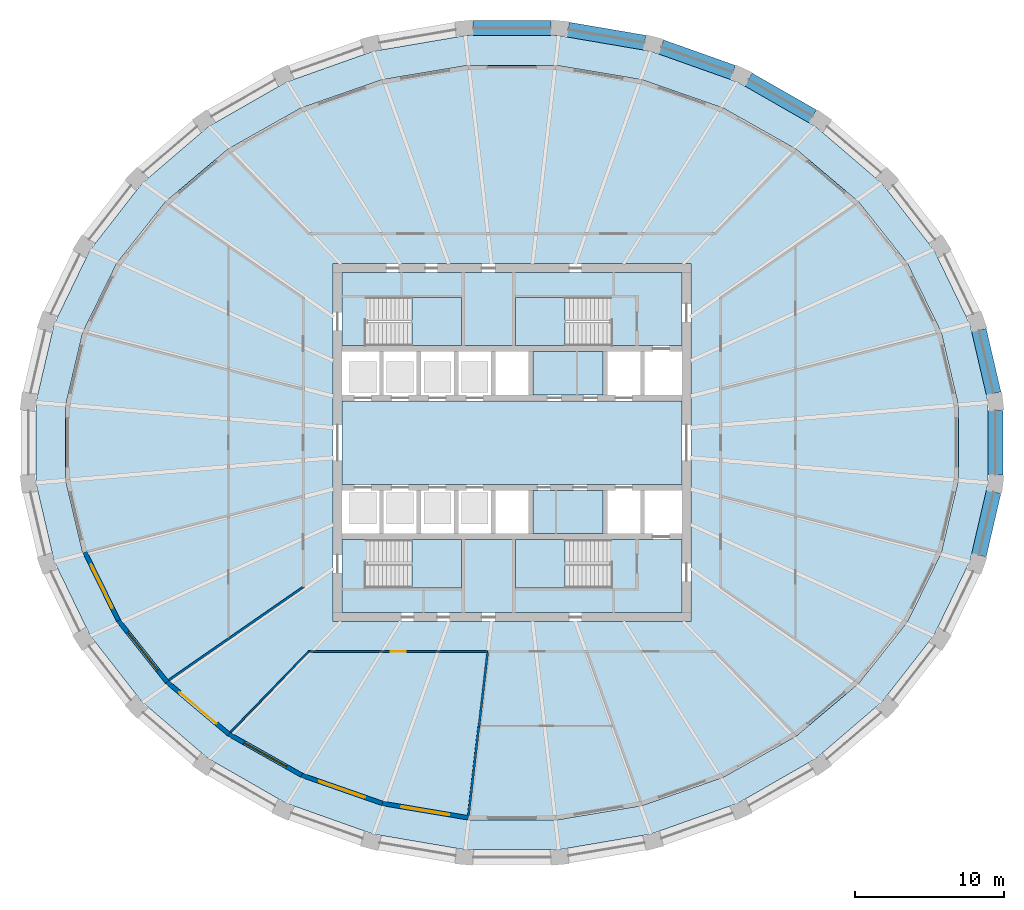
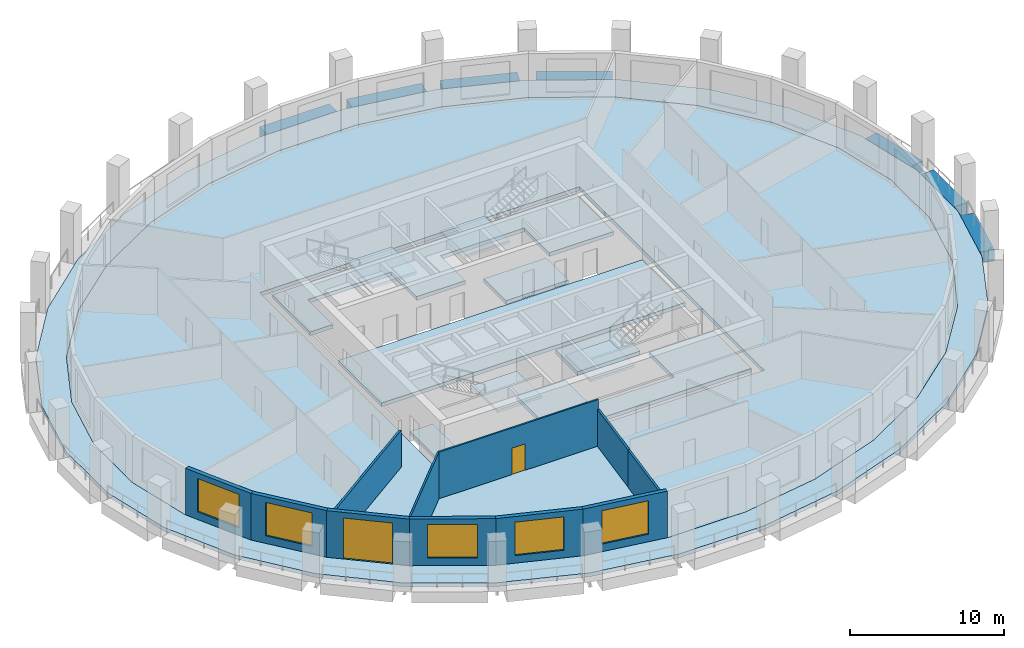
# One storey, part 2 of 10: 11 slabs, 11 walls, 7 beams, 5 windows, 2 doors, 7 openings, 4 elements without a shape of their own.
"""IFC4 building model written with IfcOpenShell, lengths in metres."""

from ifc_helpers import new_model, si_unit, direction, frame, frame_2d, origin, origin_2d, place, context, subcontext, project, spatial, polyline, rectangle, outline, extrude, material, layer, layer_set, material_profile, profile_set, type_object, element, fill, aggregate, save


model = new_model("IFC4")

# Units and contexts
model_context = context("Model", 3, precision=1e-05, world=origin(), true_north=direction((0.0, 1.0)))
body_context = subcontext(model_context, "Body", "Model", "MODEL_VIEW")
ifc_project = project(units=[si_unit("LENGTHUNIT", "METRE"), si_unit("AREAUNIT", "SQUARE_METRE"), si_unit("VOLUMEUNIT", "CUBIC_METRE"), si_unit("PLANEANGLEUNIT", "RADIAN"), si_unit("MASSUNIT", "GRAM", prefix="KILO")], contexts=[model_context])

# Site, building, storey
site_placement = place(None, origin())
site = spatial("IfcSite", under=ifc_project, at=site_placement, CompositionType="ELEMENT")
building_placement = place(site_placement, origin())
building = spatial("IfcBuilding", under=site, at=building_placement, Name="Halqa Exchange Tower", CompositionType="ELEMENT")
storey_placement = place(building_placement, frame((0.0, 0.0, 194.89990234375)))
storey = spatial("IfcBuildingStorey", under=building, at=storey_placement, Name="L44", CompositionType="ELEMENT", Elevation=194.89990234375)

# Beams
ifc_material_1 = material(Name="Concrete C60/75", Category="concrete")
ifc_material_profile = material_profile(ifc_material_1, rectangle(XDim=1.0, YDim=0.89990234375, at=origin_2d()), Name="1000 x 900")
ifc_profile_set = profile_set([ifc_material_profile], Name="Concrete C60/75")
beam_type = type_object("IfcBeamType", Name="RC spandrel beam 1000 x 900 C60/75", PredefinedType="SPANDREL", material=ifc_profile_set)
beam_1_placement = place(storey_placement, frame((32.291748046875, 3.298583984375, -0.449951171875), z_axis=(-0.226069928804, 0.974111075438, 0.0), x_axis=(-0.974111075438, -0.226069928804, 0.0)))
element("IfcBeam", 1, at=beam_1_placement, inside=storey, type_object=beam_type, Name="Spandrel 1", PredefinedType="SPANDREL", context=body_context, shape_type="SweptSolid", body=[
    extrude(rectangle(XDim=1.0, YDim=0.89990234375, at=origin_2d()), origin(), (0.0, 0.0, 1.0), 4.359619140625),
])
beam_2_placement = place(storey_placement, frame((20.16845703125, 21.872314453125, -0.449951171875), z_axis=(-0.867771135112, 0.496964040013, 0.0), x_axis=(-0.496964040013, -0.867771135112, 0.0)))
element("IfcBeam", 2, at=beam_2_placement, inside=storey, type_object=beam_type, Name="Spandrel 5", PredefinedType="SPANDREL", context=body_context, shape_type="SweptSolid", body=[
    extrude(rectangle(XDim=1.0, YDim=0.89990234375, at=origin_2d()), origin(), (0.0, 0.0, 1.0), 4.9697265625),
])
beam_3_placement = place(storey_placement, frame((14.817138671875, 24.8193359375, -0.449951171875), z_axis=(-0.942368993824, 0.334575371895, 0.0), x_axis=(-0.334575371895, -0.942368993824, 0.0)))
element("IfcBeam", 3, at=beam_3_placement, inside=storey, type_object=beam_type, Name="Spandrel 6", PredefinedType="SPANDREL", context=body_context, shape_type="SweptSolid", body=[
    extrude(rectangle(XDim=1.0, YDim=0.89990234375, at=origin_2d()), origin(), (0.0, 0.0, 1.0), 5.113037109375),
])
beam_4_placement = place(storey_placement, frame((8.891357421875, 26.81884765625, -0.449951171875), z_axis=(-0.98577756744, 0.168055310931, 0.0), x_axis=(-0.168055310931, -0.98577756744, 0.0)))
element("IfcBeam", 4, at=beam_4_placement, inside=storey, type_object=beam_type, Name="Spandrel 7", PredefinedType="SPANDREL", context=body_context, shape_type="SweptSolid", body=[
    extrude(rectangle(XDim=1.0, YDim=0.89990234375, at=origin_2d()), origin(), (0.0, 0.0, 1.0), 5.20654296875),
])
beam_5_placement = place(storey_placement, frame((2.619873046875, 27.790283203125, -0.449951171875), z_axis=(-1.0, 0.0, 0.0), x_axis=(0.0, -1.0, 0.0)))
element("IfcBeam", 5, at=beam_5_placement, inside=storey, type_object=beam_type, Name="Spandrel 8", PredefinedType="SPANDREL", context=body_context, shape_type="SweptSolid", body=[
    extrude(rectangle(XDim=1.0, YDim=0.89990234375, at=origin_2d()), origin(), (0.0, 0.0, 1.0), 5.23974609375),
])
beam_6_placement = place(storey_placement, frame((31.30615234375, -7.54541015625, -0.449951171875), z_axis=(0.226069928804, 0.974111075438, 0.0), x_axis=(-0.974111075438, 0.226069928804, 0.0)))
element("IfcBeam", 6, at=beam_6_placement, inside=storey, type_object=beam_type, Name="Spandrel 31", PredefinedType="SPANDREL", context=body_context, shape_type="SweptSolid", body=[
    extrude(rectangle(XDim=1.0, YDim=0.89990234375, at=origin_2d()), origin(), (0.0, 0.0, 1.0), 4.359619140625),
])
beam_7_placement = place(storey_placement, frame((32.422119140625, -2.160400390625, -0.449951171875), z_axis=(0.0, 1.0, 0.0), x_axis=(-1.0, 0.0, 0.0)))
element("IfcBeam", 7, at=beam_7_placement, inside=storey, type_object=beam_type, Name="Spandrel 32", PredefinedType="SPANDREL", context=body_context, shape_type="SweptSolid", body=[
    extrude(rectangle(XDim=1.0, YDim=0.89990234375, at=origin_2d()), origin(), (0.0, 0.0, 1.0), 4.32080078125),
])

# Slabs
ifc_layer_1 = layer(ifc_material_1, 0.300048828125)
ifc_layer_set_1 = layer_set([ifc_layer_1], Name="Concrete C60/75")
slab_type_1 = type_object("IfcSlabType", Name="Core floor slab 300", PredefinedType="FLOOR", material=ifc_layer_set_1)
slab_1_placement = place(storey_placement, frame((0.0, 0.0, -0.2998046875)))
element("IfcSlab", 8, at=slab_1_placement, inside=storey, type_object=slab_type_1, Name="Core floor slab", PredefinedType="FLOOR", context=body_context, shape_type="SweptSolid", body=[
    extrude(outline(polyline([(-11.39990234375, 2.800048828125), (11.39990234375, 2.800048828125), (11.39990234375, -2.800048828125), (-11.39990234375, -2.800048828125), (-11.39990234375, 2.800048828125)])), origin(), (0.0, 0.0, 1.0), 0.2998046875),
])
slab_2_placement = place(storey_placement, frame((0.0, 0.0, -0.2998046875)))
element("IfcSlab", 9, at=slab_2_placement, inside=storey, type_object=slab_type_1, Name="Core floor slab", PredefinedType="FLOOR", context=body_context, shape_type="SweptSolid", body=[
    extrude(outline(polyline([(-11.39990234375, 11.39990234375), (11.39990234375, 11.39990234375), (11.39990234375, 6.5), (6.550048828125, 6.5), (6.550048828125, 9.75), (0.25, 9.75), (0.25, 6.5), (-3.39990234375, 6.5), (-3.39990234375, 9.75), (-9.699951171875, 9.75), (-9.699951171875, 6.5), (-11.39990234375, 6.5), (-11.39990234375, 11.39990234375)])), origin(), (0.0, 0.0, 1.0), 0.2998046875),
])
slab_3_placement = place(storey_placement, frame((0.0, 0.0, -0.2998046875)))
element("IfcSlab", 10, at=slab_3_placement, inside=storey, type_object=slab_type_1, Name="Core floor slab", PredefinedType="FLOOR", context=body_context, shape_type="SweptSolid", body=[
    extrude(outline(polyline([(-9.699951171875, -9.75), (-3.39990234375, -9.75), (-3.39990234375, -6.5), (0.25, -6.5), (0.25, -9.75), (6.550048828125, -9.75), (6.550048828125, -6.5), (11.39990234375, -6.5), (11.39990234375, -11.39990234375), (-11.39990234375, -11.39990234375), (-11.39990234375, -6.5), (-9.699951171875, -6.5), (-9.699951171875, -9.75)])), origin(), (0.0, 0.0, 1.0), 0.2998046875),
])
slab_4_placement = place(storey_placement, frame((0.0, 0.0, -0.2998046875)))
element("IfcSlab", 11, at=slab_4_placement, inside=storey, type_object=slab_type_1, Name="Core floor slab", PredefinedType="FLOOR", context=body_context, shape_type="SweptSolid", body=[
    extrude(outline(polyline([(6.10009765625, -3.199951171875), (6.10009765625, -6.10009765625), (1.39990234375, -6.10009765625), (1.39990234375, -3.199951171875), (6.10009765625, -3.199951171875)])), origin(), (0.0, 0.0, 1.0), 0.2998046875),
])
slab_5_placement = place(storey_placement, frame((0.0, 0.0, -0.2998046875)))
element("IfcSlab", 12, at=slab_5_placement, inside=storey, type_object=slab_type_1, Name="Core floor slab", PredefinedType="FLOOR", context=body_context, shape_type="SweptSolid", body=[
    extrude(outline(polyline([(6.10009765625, 6.10009765625), (6.10009765625, 3.199951171875), (1.39990234375, 3.199951171875), (1.39990234375, 6.10009765625), (6.10009765625, 6.10009765625)])), origin(), (0.0, 0.0, 1.0), 0.2998046875),
])
ifc_material_2 = material(Name="Concrete C40/50", Category="concrete")
ifc_layer_2 = layer(ifc_material_2, 0.300048828125)
ifc_layer_set_2 = layer_set([ifc_layer_2], Name="Concrete C40/50")
slab_type_2 = type_object("IfcSlabType", Name="RC floor slab 300", PredefinedType="FLOOR", material=ifc_layer_set_2)
slab_6_placement = place(storey_placement, frame((0.0, 0.0, -0.2998046875)))
element("IfcSlab", 13, at=slab_6_placement, inside=storey, type_object=slab_type_2, Name="Floor slab", PredefinedType="FLOOR", context=body_context, shape_type="SweptSolid", body=[
    extrude(outline(polyline([(29.935546875, 2.49755859375), (28.78076171875, 7.39501953125), (26.517578125, 12.0048828125), (23.23583984375, 16.14892578125), (19.0634765625, 19.669189453125), (14.161865234375, 22.4326171875), (8.71923828125, 24.33447265625), (2.94384765625, 25.3037109375), (-2.94384765625, 25.3037109375), (-8.71923828125, 24.33447265625), (-14.161865234375, 22.4326171875), (-19.0634765625, 19.669189453125), (-23.23583984375, 16.14892578125), (-26.517578125, 12.0048828125), (-28.78076171875, 7.39501953125), (-29.935546875, 2.49755859375), (-29.935546875, -2.49755859375), (-28.78076171875, -7.39501953125), (-26.517578125, -12.0048828125), (-23.23583984375, -16.14892578125), (-19.0634765625, -19.669189453125), (-14.161865234375, -22.4326171875), (-8.71923828125, -24.33447265625), (-2.94384765625, -25.3037109375), (2.94384765625, -25.3037109375), (8.71923828125, -24.33447265625), (14.161865234375, -22.4326171875), (19.0634765625, -19.669189453125), (23.23583984375, -16.14892578125), (26.517578125, -12.0048828125), (28.78076171875, -7.39501953125), (29.935546875, -2.49755859375), (29.935546875, 2.49755859375)]), holes=[polyline([(-12.0, -12.0), (12.0, -12.0), (12.0, 12.0), (-12.0, 12.0), (-12.0, -12.0)])]), origin(), (0.0, 0.0, 1.0), 0.2998046875),
])
ifc_layer_3 = layer(ifc_material_2, 0.300048828125)
ifc_layer_set_3 = layer_set([ifc_layer_3], Name="Concrete C40/50")
slab_type_3 = type_object("IfcSlabType", Name="RC loggia slab 300", PredefinedType="FLOOR", material=ifc_layer_set_3)
slab_7_placement = place(storey_placement, frame((0.0, 0.0, -0.2998046875)))
element("IfcSlab", 14, at=slab_7_placement, inside=storey, type_object=slab_type_3, Name="Loggia slab", PredefinedType="FLOOR", context=body_context, shape_type="SweptSolid", body=[
    extrude(outline(polyline([(31.922119140625, 2.6796875), (31.922119140625, -2.6796875), (30.70166015625, -7.938720703125), (28.304931640625, -12.898193359375), (24.8203125, -17.368408203125), (20.37841796875, -21.17578125), (15.14794921875, -24.17138671875), (9.33056640625, -26.23681640625), (3.15087890625, -27.290283203125), (-3.15087890625, -27.290283203125), (-9.33056640625, -26.23681640625), (-15.14794921875, -24.17138671875), (-20.37841796875, -21.17578125), (-24.8203125, -17.368408203125), (-28.304931640625, -12.898193359375), (-30.70166015625, -7.938720703125), (-31.922119140625, -2.6796875), (-31.922119140625, 2.6796875), (-30.70166015625, 7.938720703125), (-28.304931640625, 12.898193359375), (-24.8203125, 17.368408203125), (-20.37841796875, 21.17578125), (-15.14794921875, 24.17138671875), (-9.33056640625, 26.23681640625), (-3.15087890625, 27.290283203125), (3.15087890625, 27.290283203125), (9.33056640625, 26.23681640625), (15.14794921875, 24.17138671875), (20.37841796875, 21.17578125), (24.8203125, 17.368408203125), (28.304931640625, 12.898193359375), (30.70166015625, 7.938720703125), (31.922119140625, 2.6796875)]), holes=[polyline([(29.935546875, 2.49755859375), (28.78076171875, 7.39501953125), (26.517578125, 12.0048828125), (23.23583984375, 16.14892578125), (19.0634765625, 19.669189453125), (14.161865234375, 22.4326171875), (8.71923828125, 24.33447265625), (2.94384765625, 25.3037109375), (-2.94384765625, 25.3037109375), (-8.71923828125, 24.33447265625), (-14.161865234375, 22.4326171875), (-19.0634765625, 19.669189453125), (-23.23583984375, 16.14892578125), (-26.517578125, 12.0048828125), (-28.78076171875, 7.39501953125), (-29.935546875, 2.49755859375), (-29.935546875, -2.49755859375), (-28.78076171875, -7.39501953125), (-26.517578125, -12.0048828125), (-23.23583984375, -16.14892578125), (-19.0634765625, -19.669189453125), (-14.161865234375, -22.4326171875), (-8.71923828125, -24.33447265625), (-2.94384765625, -25.3037109375), (2.94384765625, -25.3037109375), (8.71923828125, -24.33447265625), (14.161865234375, -22.4326171875), (19.0634765625, -19.669189453125), (23.23583984375, -16.14892578125), (26.517578125, -12.0048828125), (28.78076171875, -7.39501953125), (29.935546875, -2.49755859375), (29.935546875, 2.49755859375)])]), origin(), (0.0, 0.0, 1.0), 0.2998046875),
])

# Stair, slab
ifc_material_3 = material(Name="Concrete C30/37", Category="concrete")
stair_type = type_object("IfcStairType", Name="Exit stair 1500 wide", PredefinedType="HALF_TURN_STAIR", material=ifc_material_3)
stair_1_placement = place(storey_placement, origin())
stair_1 = element("IfcStair", 15, at=stair_1_placement, inside=storey, type_object=stair_type, Name="Exit stair ST1", PredefinedType="HALF_TURN_STAIR")
ifc_layer_4 = layer(ifc_material_3, 0.199951171875)
ifc_layer_set_4 = layer_set([ifc_layer_4], Name="Concrete C30/37")
slab_type_4 = type_object("IfcSlabType", Name="Stair landing 200 slab", PredefinedType="LANDING", material=ifc_layer_set_4)
slab_8_placement = place(storey_placement, frame((0.0, 0.0, 1.800048828125)))
slab_8 = element("IfcSlab", 16, at=slab_8_placement, type_object=slab_type_4, Name="ST1 landing 1", PredefinedType="LANDING", context=body_context, shape_type="SweptSolid", body=[
    extrude(outline(polyline([(-6.719970703125, 6.5), (-3.39990234375, 6.5), (-3.39990234375, 9.75), (-6.719970703125, 9.75), (-6.719970703125, 6.5)])), origin(), (0.0, 0.0, 1.0), 0.199951171875),
])
aggregate(stair_1, [slab_8])

stair_2_placement = place(storey_placement, origin())
stair_2 = element("IfcStair", 17, at=stair_2_placement, inside=storey, type_object=stair_type, Name="Exit stair ST2", PredefinedType="HALF_TURN_STAIR")
slab_9_placement = place(storey_placement, frame((0.0, 0.0, 1.800048828125)))
slab_9 = element("IfcSlab", 18, at=slab_9_placement, type_object=slab_type_4, Name="ST2 landing 1", PredefinedType="LANDING", context=body_context, shape_type="SweptSolid", body=[
    extrude(outline(polyline([(0.25, 6.5), (3.570068359375, 6.5), (3.570068359375, 9.75), (0.25, 9.75), (0.25, 6.5)])), origin(), (0.0, 0.0, 1.0), 0.199951171875),
])
aggregate(stair_2, [slab_9])

stair_3_placement = place(storey_placement, origin())
stair_3 = element("IfcStair", 19, at=stair_3_placement, inside=storey, type_object=stair_type, Name="Exit stair ST3", PredefinedType="HALF_TURN_STAIR")
slab_10_placement = place(storey_placement, frame((0.0, 0.0, 1.800048828125)))
slab_10 = element("IfcSlab", 20, at=slab_10_placement, type_object=slab_type_4, Name="ST3 landing 1", PredefinedType="LANDING", context=body_context, shape_type="SweptSolid", body=[
    extrude(outline(polyline([(-6.719970703125, -9.75), (-3.39990234375, -9.75), (-3.39990234375, -6.5), (-6.719970703125, -6.5), (-6.719970703125, -9.75)])), origin(), (0.0, 0.0, 1.0), 0.199951171875),
])
aggregate(stair_3, [slab_10])

stair_4_placement = place(storey_placement, origin())
stair_4 = element("IfcStair", 21, at=stair_4_placement, inside=storey, type_object=stair_type, Name="Exit stair ST4", PredefinedType="HALF_TURN_STAIR")
slab_11_placement = place(storey_placement, frame((0.0, 0.0, 1.800048828125)))
slab_11 = element("IfcSlab", 22, at=slab_11_placement, type_object=slab_type_4, Name="ST4 landing 1", PredefinedType="LANDING", context=body_context, shape_type="SweptSolid", body=[
    extrude(outline(polyline([(0.25, -9.75), (3.570068359375, -9.75), (3.570068359375, -6.5), (0.25, -6.5), (0.25, -9.75)])), origin(), (0.0, 0.0, 1.0), 0.199951171875),
])
aggregate(stair_4, [slab_11])

# Walls
ifc_material_4 = material(Name="Fire-rated gypsum board")
ifc_layer_5 = layer(ifc_material_4, 0.14990234375)
ifc_layer_set_5 = layer_set([ifc_layer_5], Name="Fire-rated gypsum board")
wall_type_1 = type_object("IfcWallType", Name="Fire partition EI 60 150", PredefinedType="PARTITIONING", material=ifc_layer_set_5)
wall_1_placement = place(storey_placement, frame((-23.0244140625, -15.939697265625, 0.0), z_axis=(0.0, 0.0, 1.0), x_axis=(0.822097241007, 0.569347105313, 0.0)))
element("IfcWall", 23, at=wall_1_placement, inside=storey, type_object=wall_type_1, Name="L44-PWL-003", PredefinedType="PARTITIONING", context=body_context, shape_type="SweptSolid", body=[
    extrude(outline(polyline([(0.024169921875, -0.074951171875), (1.856201171875, -0.074951171875), (3.688232421875, -0.074951171875), (5.520263671875, -0.074951171875), (7.352294921875, -0.074951171875), (9.184326171875, -0.074951171875), (11.016357421875, -0.074951171875), (10.977294921875, -0.000244140625), (10.937744140625, 0.074951171875), (8.961181640625, 0.074951171875), (6.984619140625, 0.074951171875), (5.008056640625, 0.074951171875), (5.006103515625, 0.072265625), (5.00244140625, 0.074951171875), (3.3349609375, 0.074951171875), (1.66748046875, 0.074951171875), (0.0, 0.074951171875), (0.0, 0.068359375), (0.004638671875, -0.002197265625), (0.024169921875, -0.074951171875)])), origin(), (0.0, 0.0, 1.0), 2.947021484375),
])
wall_2_placement = place(storey_placement, frame((-2.915283203125, -25.000244140625, 0.0), z_axis=(0.0, 0.0, 1.0), x_axis=(0.115112831027, 0.993352422926, 0.0)))
element("IfcWall", 24, at=wall_2_placement, inside=storey, type_object=wall_type_1, Name="L44-PWL-014", PredefinedType="PARTITIONING", context=body_context, shape_type="SweptSolid", body=[
    extrude(outline(polyline([(0.0, 0.074951171875), (0.0, -0.031005859375), (0.005126953125, -0.074951171875), (2.00048828125, -0.074951171875), (3.99609375, -0.074951171875), (5.991455078125, -0.074951171875), (5.991455078125, 0.074951171875), (3.994384765625, 0.074951171875), (1.9970703125, 0.074951171875), (0.0, 0.074951171875)])), origin(), (0.0, 0.0, 1.0), 2.947021484375),
])
wall_3_placement = place(storey_placement, frame((-2.2158203125, -19.0498046875, 0.0), z_axis=(0.0, 0.0, 1.0), x_axis=(0.11524289965, 0.993337341531, 0.0)))
element("IfcWall", 25, at=wall_3_placement, inside=storey, type_object=wall_type_1, Name="L44-PWL-015", PredefinedType="PARTITIONING", context=body_context, shape_type="SweptSolid", body=[
    extrude(outline(polyline([(0.0, -0.074951171875), (0.0986328125, -0.074951171875), (0.109130859375, -0.07373046875), (0.109130859375, -0.074951171875), (1.744873046875, -0.074951171875), (3.380859375, -0.074951171875), (5.0166015625, -0.074951171875), (5.0166015625, -0.07275390625), (5.00927734375, -0.008544921875), (5.0166015625, -0.0078125), (5.0166015625, 0.0576171875), (5.0146484375, 0.074951171875), (3.343017578125, 0.074951171875), (1.671630859375, 0.074951171875), (0.000244140625, 0.074951171875), (0.0, -0.065185546875), (0.0, -0.065185546875), (0.0, -0.074951171875)])), origin(), (0.0, 0.0, 1.0), 2.947021484375),
])

# Wall, opening, door
ifc_material_5 = material(Name="Fire-rated glazing", Category="glass")
ifc_layer_6 = layer(ifc_material_5, 0.1201171875)
ifc_layer_set_6 = layer_set([ifc_layer_6], Name="Fire-rated glazing")
wall_type_2 = type_object("IfcWallType", Name="Glazed fire partition EI 60 120", PredefinedType="PARTITIONING", material=ifc_layer_set_6)
wall_4_placement = place(storey_placement, frame((-13.6455078125, -14.0, 0.0), z_axis=(0.0, 0.0, 1.0), x_axis=(1.0, 0.0, 0.0)))
wall_4 = element("IfcWall", 26, at=wall_4_placement, inside=storey, type_object=wall_type_2, Name="L44-PWL-010", PredefinedType="PARTITIONING", context=body_context, shape_type="SweptSolid", body=[
    extrude(outline(polyline([(12.015625, 0.06005859375), (10.299072265625, 0.06005859375), (8.58251953125, 0.06005859375), (6.8662109375, 0.06005859375), (5.149658203125, 0.06005859375), (3.43310546875, 0.06005859375), (1.716552734375, 0.06005859375), (0.000244140625, 0.06005859375), (0.05078125, -0.06005859375), (2.044921875, -0.06005859375), (4.0390625, -0.06005859375), (6.033203125, -0.06005859375), (8.02734375, -0.06005859375), (10.021484375, -0.06005859375), (12.015625, -0.06005859375), (12.015625, 0.06005859375)])), origin(), (0.0, 0.0, 1.0), 3.7001953125),
])
opening_1_placement = place(wall_4_placement, frame((5.5205078125, 0.0, 0.0)))
opening_1 = element("IfcOpeningElement", 27, at=opening_1_placement, cuts=wall_4, Name="Opening 13-06", PredefinedType="OPENING", context=body_context, shape_type="SweptSolid", body=[
    extrude(rectangle(XDim=1.0, YDim=2.10009765625, at=frame_2d((0.5, 1.050048828125))), frame((0.0, 0.072021484375, 0.0), z_axis=(0.0, -1.0, 0.0), x_axis=(1.0, 0.0, 0.0)), (0.0, 0.0, 1.0), 0.14404296875),
])
ifc_material_6 = material(Name="Steel fire door leaf", Category="steel")
door_type_1 = type_object("IfcDoorType", Name="Fire door FD30S 1000 x 2100", OperationType="SINGLE_SWING_LEFT", PredefinedType="DOOR", material=ifc_material_6)
door_1_placement = place(opening_1_placement, frame((1.0, 0.0, 0.0), z_axis=(0.0, 0.0, 1.0), x_axis=(-1.0, 0.0, 0.0)))
door_1 = element("IfcDoor", 28, at=door_1_placement, inside=storey, type_object=door_type_1, Name="L44-IDR-006", OperationType="SINGLE_SWING_RIGHT", OverallHeight=2.10009765625, OverallWidth=1.0, PredefinedType="DOOR", context=body_context, shape_type="SweptSolid", body=[
    extrude(rectangle(XDim=1.0, YDim=2.10009765625, at=frame_2d((0.5, 1.050048828125))), frame((0.0, 0.02490234375, 0.0), z_axis=(0.0, -1.0, 0.0), x_axis=(1.0, 0.0, 0.0)), (0.0, 0.0, 1.0), 0.050048828125),
])
fill(opening_1, door_1)

# Wall
wall_5_placement = place(storey_placement, frame((-13.602294921875, -13.981689453125, 0.0), z_axis=(0.0, 0.0, 1.0), x_axis=(-0.69685470262, -0.717212328001, 0.0)))
element("IfcWall", 29, at=wall_5_placement, inside=storey, type_object=wall_type_2, Name="L44-PWL-013", PredefinedType="PARTITIONING", context=body_context, shape_type="SweptSolid", body=[
    extrude(outline(polyline([(7.59130859375, -0.06005859375), (7.59130859375, -0.05810546875), (7.58740234375, -0.002685546875), (7.57080078125, 0.06005859375), (5.69091796875, 0.06005859375), (3.810791015625, 0.06005859375), (1.930908203125, 0.06005859375), (0.05078125, 0.06005859375), (0.025390625, 0.0), (0.000244140625, -0.06005859375), (0.0, -0.06005859375), (0.0, -0.06005859375), (1.89794921875, -0.06005859375), (3.795654296875, -0.06005859375), (5.693603515625, -0.06005859375), (7.59130859375, -0.06005859375)])), origin(), (0.0, 0.0, 1.0), 3.7001953125),
])

# Wall, opening, window
ifc_material_7 = material(Name="Limestone cladding", Category="masonry")
ifc_layer_7 = layer(ifc_material_7, 0.0400390625)
ifc_material_8 = material(Name="Ventilated cavity")
ifc_layer_8 = layer(ifc_material_8, 0.030029296875, ventilated=True)
ifc_material_9 = material(Name="Mineral wool insulation")
ifc_layer_9 = layer(ifc_material_9, 0.10009765625)
ifc_layer_10 = layer(ifc_material_3, 0.10009765625)
ifc_material_10 = material(Name="Internal plaster")
ifc_layer_11 = layer(ifc_material_10, 0.030029296875)
ifc_layer_set_7 = layer_set([ifc_layer_7, ifc_layer_8, ifc_layer_9, ifc_layer_10, ifc_layer_11], Name="Stone-faced insulated wall 300")
wall_type_3 = type_object("IfcWallType", Name="Stone-faced insulated wall 300", PredefinedType="STANDARD", material=ifc_layer_set_7)
wall_6_placement = place(storey_placement, frame((-28.638671875, -7.34423828125, 0.0), z_axis=(0.0, 0.0, 1.0), x_axis=(0.440694221881, -0.897657285829, 0.0)))
wall_6 = element("IfcWall", 30, at=wall_6_placement, inside=storey, type_object=wall_type_3, Name="Glass-line wall 18", PredefinedType="STANDARD", context=body_context, shape_type="SweptSolid", body=[
    extrude(outline(polyline([(-0.016845703125, -0.14990234375), (5.118408203125, -0.14990234375), (5.086181640625, 0.14990234375), (0.016845703125, 0.14990234375), (-0.016845703125, -0.14990234375)])), origin(), (0.0, 0.0, 1.0), 3.7001953125),
])
opening_2_placement = place(wall_6_placement, frame((0.926025390625, 0.0, 0.60009765625)))
opening_2 = element("IfcOpeningElement", 31, at=opening_2_placement, cuts=wall_6, Name="Opening W-F3-18", PredefinedType="OPENING", context=body_context, shape_type="SweptSolid", body=[
    extrude(rectangle(XDim=3.25, YDim=2.64990234375, at=frame_2d((1.625, 1.324951171875))), frame((0.0, 0.162109375, 0.0), z_axis=(0.0, -1.0, 0.0), x_axis=(1.0, 0.0, 0.0)), (0.0, 0.0, 1.0), 0.323974609375),
])
ifc_material_11 = material(Name="Clear low-emissivity glass in aluminium frame", Category="aluminium")
window_type = type_object("IfcWindowType", Name="Fixed clear glazed window 3250 x 2650", PartitioningType="TRIPLE_PANEL_VERTICAL", PredefinedType="WINDOW", material=ifc_material_11)
window_1_placement = place(opening_2_placement, origin())
window_1 = element("IfcWindow", 32, at=window_1_placement, inside=storey, type_object=window_type, Name="Window 3", OverallHeight=2.64990234375, OverallWidth=3.25, PartitioningType="TRIPLE_PANEL_VERTICAL", PredefinedType="WINDOW", context=body_context, shape_type="SweptSolid", body=[
    extrude(rectangle(XDim=3.25, YDim=2.64990234375, at=frame_2d((1.625, 1.324951171875))), frame((0.0, 0.030029296875, 0.0), z_axis=(0.0, -1.0, 0.0), x_axis=(1.0, 0.0, 0.0)), (0.0, 0.0, 1.0), 0.06005859375),
])
fill(opening_2, window_1)

wall_7_placement = place(storey_placement, frame((-26.39013671875, -11.92431640625, 0.0), z_axis=(0.0, 0.0, 1.0), x_axis=(0.620829074232, -0.783945955145, 0.0)))
wall_7 = element("IfcWall", 33, at=wall_7_placement, inside=storey, type_object=wall_type_3, Name="Glass-line wall 19", PredefinedType="STANDARD", context=body_context, shape_type="SweptSolid", body=[
    extrude(outline(polyline([(-0.01611328125, -0.14990234375), (5.27001953125, -0.14990234375), (5.23974609375, 0.14990234375), (0.01611328125, 0.14990234375), (-0.01611328125, -0.14990234375)])), origin(), (0.0, 0.0, 1.0), 3.7001953125),
])
opening_3_placement = place(wall_7_placement, frame((1.002685546875, 0.0, 0.60009765625)))
opening_3 = element("IfcOpeningElement", 34, at=opening_3_placement, cuts=wall_7, Name="Opening W-F3-19", PredefinedType="OPENING", context=body_context, shape_type="SweptSolid", body=[
    extrude(rectangle(XDim=3.25, YDim=2.64990234375, at=frame_2d((1.625, 1.324951171875))), frame((0.0, 0.162109375, 0.0), z_axis=(0.0, -1.0, 0.0), x_axis=(1.0, 0.0, 0.0)), (0.0, 0.0, 1.0), 0.323974609375),
])
window_2_placement = place(opening_3_placement, origin())
window_2 = element("IfcWindow", 35, at=window_2_placement, inside=storey, type_object=window_type, Name="Window 3", OverallHeight=2.64990234375, OverallWidth=3.25, PartitioningType="TRIPLE_PANEL_VERTICAL", PredefinedType="WINDOW", context=body_context, shape_type="SweptSolid", body=[
    extrude(rectangle(XDim=3.25, YDim=2.64990234375, at=frame_2d((1.625, 1.324951171875))), frame((0.0, 0.030029296875, 0.0), z_axis=(0.0, -1.0, 0.0), x_axis=(1.0, 0.0, 0.0)), (0.0, 0.0, 1.0), 0.06005859375),
])
fill(opening_3, window_2)

# Wall, opening, door
wall_8_placement = place(storey_placement, frame((-23.127685546875, -16.0439453125, 0.0), z_axis=(0.0, 0.0, 1.0), x_axis=(0.764330261608, -0.644824977176, 0.0)))
wall_8 = element("IfcWall", 36, at=wall_8_placement, inside=storey, type_object=wall_type_3, Name="Glass-line wall 20", PredefinedType="STANDARD", context=body_context, shape_type="SweptSolid", body=[
    extrude(outline(polyline([(-0.01513671875, -0.14990234375), (5.4443359375, -0.14990234375), (5.416015625, 0.14990234375), (0.01513671875, 0.14990234375), (-0.01513671875, -0.14990234375)])), origin(), (0.0, 0.0, 1.0), 3.7001953125),
])
opening_4_placement = place(wall_8_placement, frame((1.090087890625, 0.0, 0.0)))
opening_4 = element("IfcOpeningElement", 37, at=opening_4_placement, cuts=wall_8, Name="Opening LG-F3-05", PredefinedType="OPENING", context=body_context, shape_type="SweptSolid", body=[
    extrude(rectangle(XDim=3.25, YDim=3.25, at=frame_2d((1.625, 1.625))), frame((0.0, 0.162109375, 0.0), z_axis=(0.0, -1.0, 0.0), x_axis=(1.0, 0.0, 0.0)), (0.0, 0.0, 1.0), 0.323974609375),
])
door_type_2 = type_object("IfcDoorType", Name="Glazed sliding loggia door 3250 x 3250", OperationType="DOUBLE_DOOR_SLIDING", PredefinedType="DOOR", material=ifc_material_11)
door_2_placement = place(opening_4_placement, origin())
door_2 = element("IfcDoor", 38, at=door_2_placement, inside=storey, type_object=door_type_2, Name="Loggia door 5", OperationType="DOUBLE_DOOR_SLIDING", OverallHeight=3.25, OverallWidth=3.25, PredefinedType="DOOR", context=body_context, shape_type="SweptSolid", body=[
    extrude(rectangle(XDim=3.25, YDim=3.25, at=frame_2d((1.625, 1.625))), frame((0.0, 0.02490234375, 0.0), z_axis=(0.0, -1.0, 0.0), x_axis=(1.0, 0.0, 0.0)), (0.0, 0.0, 1.0), 0.050048828125),
])
fill(opening_4, door_2)

# Wall, opening, window
wall_9_placement = place(storey_placement, frame((-18.977294921875, -19.54541015625, 0.0), z_axis=(0.0, 0.0, 1.0), x_axis=(0.871083701819, -0.491134588912, 0.0)))
wall_9 = element("IfcWall", 39, at=wall_9_placement, inside=storey, type_object=wall_type_3, Name="Glass-line wall 21", PredefinedType="STANDARD", context=body_context, shape_type="SweptSolid", body=[
    extrude(outline(polyline([(-0.01416015625, -0.14990234375), (5.61279296875, -0.14990234375), (5.5859375, 0.14990234375), (0.01416015625, 0.14990234375), (-0.01416015625, -0.14990234375)])), origin(), (0.0, 0.0, 1.0), 3.7001953125),
])
opening_5_placement = place(wall_9_placement, frame((1.1748046875, 0.0, 0.60009765625)))
opening_5 = element("IfcOpeningElement", 40, at=opening_5_placement, cuts=wall_9, Name="Opening W-F3-21", PredefinedType="OPENING", context=body_context, shape_type="SweptSolid", body=[
    extrude(rectangle(XDim=3.25, YDim=2.64990234375, at=frame_2d((1.625, 1.324951171875))), frame((0.0, 0.162109375, 0.0), z_axis=(0.0, -1.0, 0.0), x_axis=(1.0, 0.0, 0.0)), (0.0, 0.0, 1.0), 0.323974609375),
])
window_3_placement = place(opening_5_placement, origin())
window_3 = element("IfcWindow", 41, at=window_3_placement, inside=storey, type_object=window_type, Name="Window 3", OverallHeight=2.64990234375, OverallWidth=3.25, PartitioningType="TRIPLE_PANEL_VERTICAL", PredefinedType="WINDOW", context=body_context, shape_type="SweptSolid", body=[
    extrude(rectangle(XDim=3.25, YDim=2.64990234375, at=frame_2d((1.625, 1.324951171875))), frame((0.0, 0.030029296875, 0.0), z_axis=(0.0, -1.0, 0.0), x_axis=(1.0, 0.0, 0.0)), (0.0, 0.0, 1.0), 0.06005859375),
])
fill(opening_5, window_3)

wall_10_placement = place(storey_placement, frame((-14.099853515625, -22.29541015625, 0.0), z_axis=(0.0, 0.0, 1.0), x_axis=(0.944020060936, -0.329888048511, 0.0)))
wall_10 = element("IfcWall", 42, at=wall_10_placement, inside=storey, type_object=wall_type_3, Name="Glass-line wall 22", PredefinedType="STANDARD", context=body_context, shape_type="SweptSolid", body=[
    extrude(outline(polyline([(-0.013427734375, -0.14990234375), (5.751953125, -0.14990234375), (5.7265625, 0.14990234375), (0.013427734375, 0.14990234375), (-0.013427734375, -0.14990234375)])), origin(), (0.0, 0.0, 1.0), 3.7001953125),
])
opening_6_placement = place(wall_10_placement, frame((1.24462890625, 0.0, 0.60009765625)))
opening_6 = element("IfcOpeningElement", 43, at=opening_6_placement, cuts=wall_10, Name="Opening W-F3-22", PredefinedType="OPENING", context=body_context, shape_type="SweptSolid", body=[
    extrude(rectangle(XDim=3.25, YDim=2.64990234375, at=frame_2d((1.625, 1.324951171875))), frame((0.0, 0.162109375, 0.0), z_axis=(0.0, -1.0, 0.0), x_axis=(1.0, 0.0, 0.0)), (0.0, 0.0, 1.0), 0.323974609375),
])
window_4_placement = place(opening_6_placement, origin())
window_4 = element("IfcWindow", 44, at=window_4_placement, inside=storey, type_object=window_type, Name="Window 3", OverallHeight=2.64990234375, OverallWidth=3.25, PartitioningType="TRIPLE_PANEL_VERTICAL", PredefinedType="WINDOW", context=body_context, shape_type="SweptSolid", body=[
    extrude(rectangle(XDim=3.25, YDim=2.64990234375, at=frame_2d((1.625, 1.324951171875))), frame((0.0, 0.030029296875, 0.0), z_axis=(0.0, -1.0, 0.0), x_axis=(1.0, 0.0, 0.0)), (0.0, 0.0, 1.0), 0.06005859375),
])
fill(opening_6, window_4)

wall_11_placement = place(storey_placement, frame((-8.681884765625, -24.188720703125, 0.0), z_axis=(0.0, 0.0, 1.0), x_axis=(0.986207709048, -0.165512400181, 0.0)))
wall_11 = element("IfcWall", 45, at=wall_11_placement, inside=storey, type_object=wall_type_3, Name="Glass-line wall 23", PredefinedType="STANDARD", context=body_context, shape_type="SweptSolid", body=[
    extrude(outline(polyline([(-0.0126953125, -0.14990234375), (5.84326171875, -0.14990234375), (5.818359375, 0.14990234375), (0.0126953125, 0.14990234375), (-0.0126953125, -0.14990234375)])), origin(), (0.0, 0.0, 1.0), 3.7001953125),
])
opening_7_placement = place(wall_11_placement, frame((1.29052734375, 0.0, 0.60009765625)))
opening_7 = element("IfcOpeningElement", 46, at=opening_7_placement, cuts=wall_11, Name="Opening W-F3-23", PredefinedType="OPENING", context=body_context, shape_type="SweptSolid", body=[
    extrude(rectangle(XDim=3.25, YDim=2.64990234375, at=frame_2d((1.625, 1.324951171875))), frame((0.0, 0.162109375, 0.0), z_axis=(0.0, -1.0, 0.0), x_axis=(1.0, 0.0, 0.0)), (0.0, 0.0, 1.0), 0.323974609375),
])
window_5_placement = place(opening_7_placement, origin())
window_5 = element("IfcWindow", 47, at=window_5_placement, inside=storey, type_object=window_type, Name="Window 3", OverallHeight=2.64990234375, OverallWidth=3.25, PartitioningType="TRIPLE_PANEL_VERTICAL", PredefinedType="WINDOW", context=body_context, shape_type="SweptSolid", body=[
    extrude(rectangle(XDim=3.25, YDim=2.64990234375, at=frame_2d((1.625, 1.324951171875))), frame((0.0, 0.030029296875, 0.0), z_axis=(0.0, -1.0, 0.0), x_axis=(1.0, 0.0, 0.0)), (0.0, 0.0, 1.0), 0.06005859375),
])
fill(opening_7, window_5)

save(model, "model.ifc")
